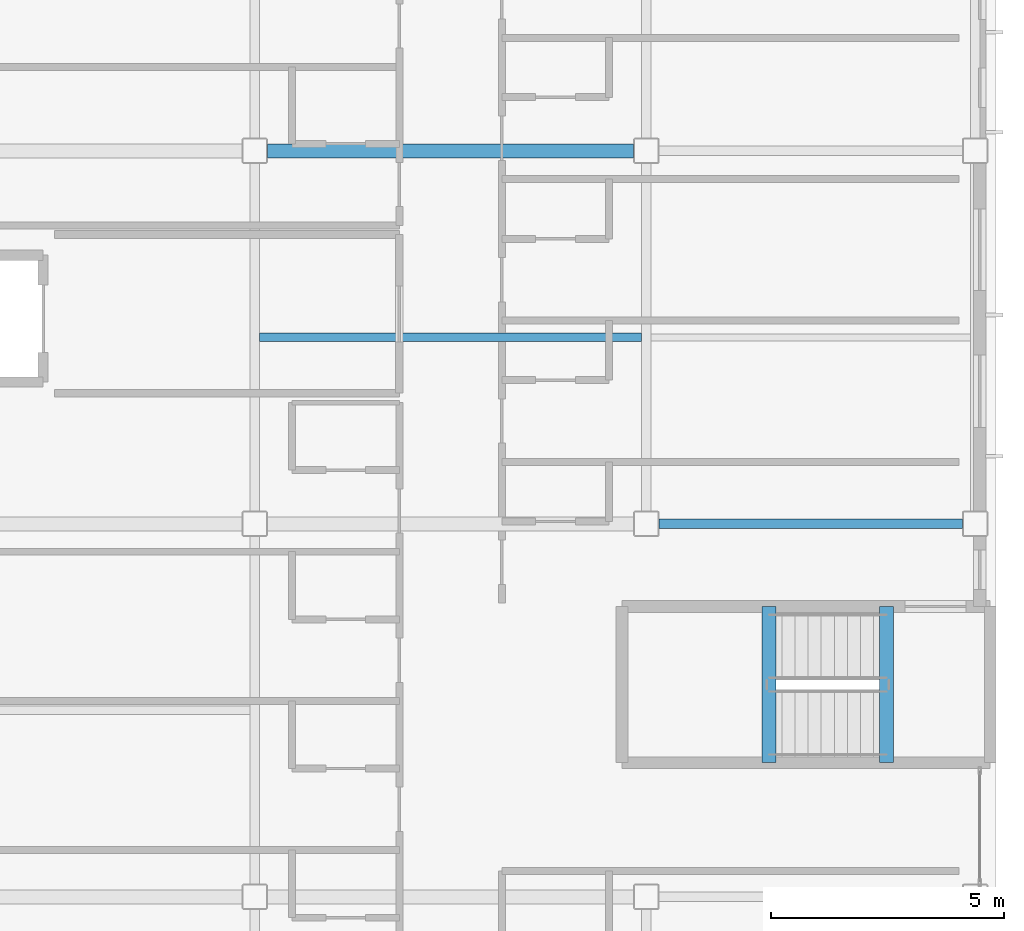
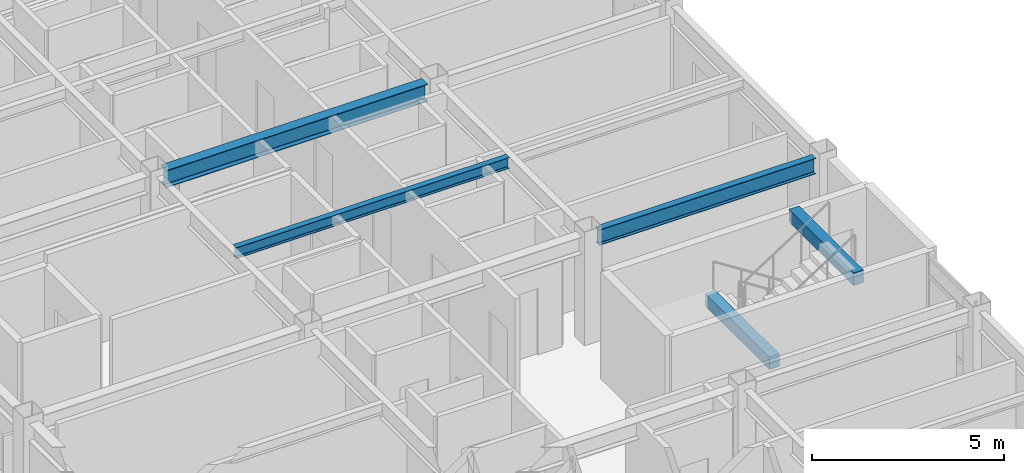
# One storey, part 9 of 38: 5 beams.
"""IFC4 building model written with IfcOpenShell, lengths in metres."""

from ifc_helpers import new_model, si_unit, direction, frame, origin, origin_2d, place, context, subcontext, project, spatial, rectangle, i_section, extrude, material, material_profile, profile_set, type_object, element, save


model = new_model("IFC4")

# Units and contexts
model_context = context("Model", 3, precision=1e-05, world=origin(), true_north=direction((0.0, 1.0)))
body_context = subcontext(model_context, "Body", "Model", "MODEL_VIEW")
ifc_project = project(units=[si_unit("LENGTHUNIT", "METRE"), si_unit("AREAUNIT", "SQUARE_METRE"), si_unit("VOLUMEUNIT", "CUBIC_METRE"), si_unit("PLANEANGLEUNIT", "RADIAN"), si_unit("MASSUNIT", "GRAM", prefix="KILO")], contexts=[model_context])

# Site, building, storey
site_placement = place(None, origin())
site = spatial("IfcSite", under=ifc_project, at=site_placement, CompositionType="ELEMENT")
building_placement = place(site_placement, origin())
building = spatial("IfcBuilding", under=site, at=building_placement, Name="Kazehara Bluff Congress Hotel", CompositionType="ELEMENT")
storey_placement = place(building_placement, frame((0.0, 0.0, 24.60009765625)))
storey = spatial("IfcBuildingStorey", under=building, at=storey_placement, Name="L05", CompositionType="ELEMENT", Elevation=24.60009765625)

# Beams
ifc_material_1 = material(Name="Steel SN490B", Category="steel")
ifc_material_profile_1 = material_profile(ifc_material_1, i_section(OverallWidth=0.199951171875, OverallDepth=0.5, WebThickness=0.010009765625, FlangeThickness=0.01611328125, FilletRadius=0.012939453125, at=origin_2d()))
ifc_profile_set_1 = profile_set([ifc_material_profile_1], Name="Steel SN490B")
beam_type_1 = type_object("IfcBeamType", Name="TP-G-01", PredefinedType="BEAM", material=ifc_profile_set_1)
beam_1_placement = place(storey_placement, frame((160.77490234375, 24.0, 3.1298828125), z_axis=(1.0, 0.0, 0.0), x_axis=(0.0, 1.0, 0.0)))
element("IfcBeam", 1, at=beam_1_placement, inside=storey, type_object=beam_type_1, Name="L05 girder G-01 55", PredefinedType="BEAM", context=body_context, shape_type="SweptSolid", body=[
    extrude(i_section(OverallWidth=0.199951171875, OverallDepth=0.5, WebThickness=0.010009765625, FlangeThickness=0.01611328125, FilletRadius=0.012939453125, at=origin_2d()), origin(), (0.0, 0.0, 1.0), 6.5),
])
ifc_material_2 = material(Name="Steel SN490B", Category="steel")
ifc_material_profile_2 = material_profile(ifc_material_2, i_section(OverallWidth=0.300048828125, OverallDepth=0.550048828125, WebThickness=0.010986328125, FlangeThickness=0.01806640625, FilletRadius=0.012939453125, at=origin_2d()))
ifc_profile_set_2 = profile_set([ifc_material_profile_2], Name="Steel SN490B")
beam_type_2 = type_object("IfcBeamType", Name="TP-G-12", PredefinedType="BEAM", material=ifc_profile_set_2)
beam_2_placement = place(storey_placement, frame((152.375, 32.0, 3.10498046875), z_axis=(1.0, 0.0, 0.0), x_axis=(0.0, 1.0, 0.0)))
element("IfcBeam", 2, at=beam_2_placement, inside=storey, type_object=beam_type_2, Name="L05 girder G-12 57", PredefinedType="BEAM", context=body_context, shape_type="SweptSolid", body=[
    extrude(i_section(OverallWidth=0.300048828125, OverallDepth=0.550048828125, WebThickness=0.010986328125, FlangeThickness=0.01806640625, FilletRadius=0.012939453125, at=origin_2d()), origin(), (0.0, 0.0, 1.0), 7.85009765625),
])
ifc_material_3 = material(Name="Steel SN400B", Category="steel")
ifc_material_profile_3 = material_profile(ifc_material_3, i_section(OverallWidth=0.175048828125, OverallDepth=0.35009765625, WebThickness=0.007080078125, FlangeThickness=0.010986328125, FilletRadius=0.012939453125, at=origin_2d()))
ifc_profile_set_3 = profile_set([ifc_material_profile_3], Name="Steel SN400B")
beam_type_3 = type_object("IfcBeamType", Name="TP-J-02", PredefinedType="JOIST", material=ifc_profile_set_3)
beam_3_placement = place(storey_placement, frame((152.199951171875, 28.0, 3.204833984375), z_axis=(1.0, 0.0, 0.0), x_axis=(0.0, 1.0, 0.0)))
element("IfcBeam", 3, at=beam_3_placement, inside=storey, type_object=beam_type_3, Name="L05 secondary joist J-02 12", PredefinedType="JOIST", context=body_context, shape_type="SweptSolid", body=[
    extrude(i_section(OverallWidth=0.175048828125, OverallDepth=0.35009765625, WebThickness=0.007080078125, FlangeThickness=0.010986328125, FilletRadius=0.012939453125, at=origin_2d()), origin(), (0.0, 0.0, 1.0), 8.199951171875),
])
ifc_material_4 = material(Name="Concrete C40/50", Category="concrete")
ifc_material_profile_4 = material_profile(ifc_material_4, rectangle(XDim=0.300048828125, YDim=0.39990234375, at=origin_2d()))
ifc_profile_set_4 = profile_set([ifc_material_profile_4], Name="Concrete C40/50")
beam_type_4 = type_object("IfcBeamType", Name="TP-LN-02", PredefinedType="LINTEL", material=ifc_profile_set_4)
for number, where, z_axis, x_axis, name in (
    (4, (163.1298828125, 22.22509765625, 1.419921875), (0.0, -1.0, 0.0), (1.0, 0.0, 0.0), "L05 ST-10 half-landing support beam 1"),
    (5, (165.64990234375, 22.22509765625, 3.199951171875), (0.0, -1.0, 0.0), (1.0, 0.0, 0.0), "L06 ST-10 stairwell trimmer beam"),
):
    element("IfcBeam", number, at=place(storey_placement, frame(where, z_axis=z_axis, x_axis=x_axis)), inside=storey, type_object=beam_type_4, Name=name, PredefinedType="LINTEL", context=body_context, shape_type="SweptSolid", body=[
        extrude(rectangle(XDim=0.300048828125, YDim=0.39990234375, at=origin_2d()), origin(), (0.0, 0.0, 1.0), 3.35009765625),
    ])

save(model, "model.ifc")
